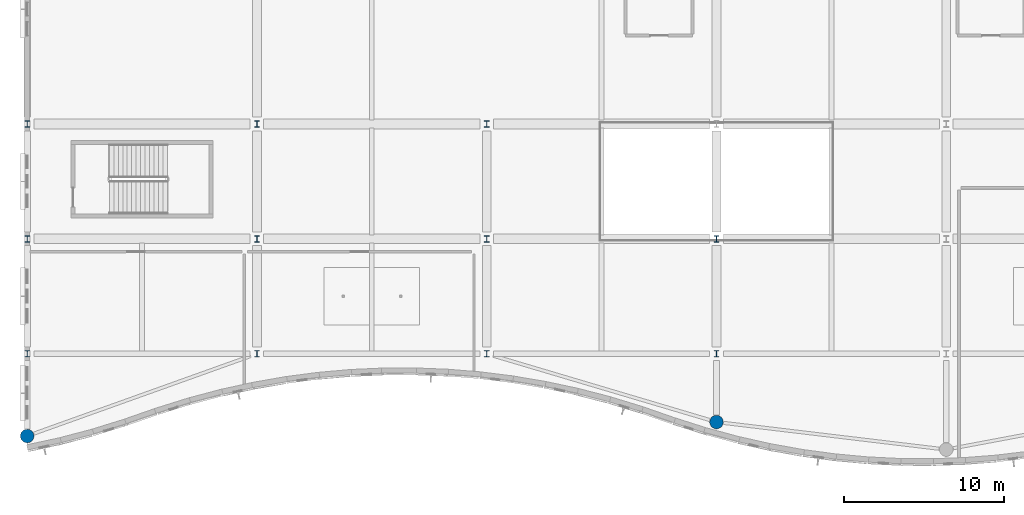
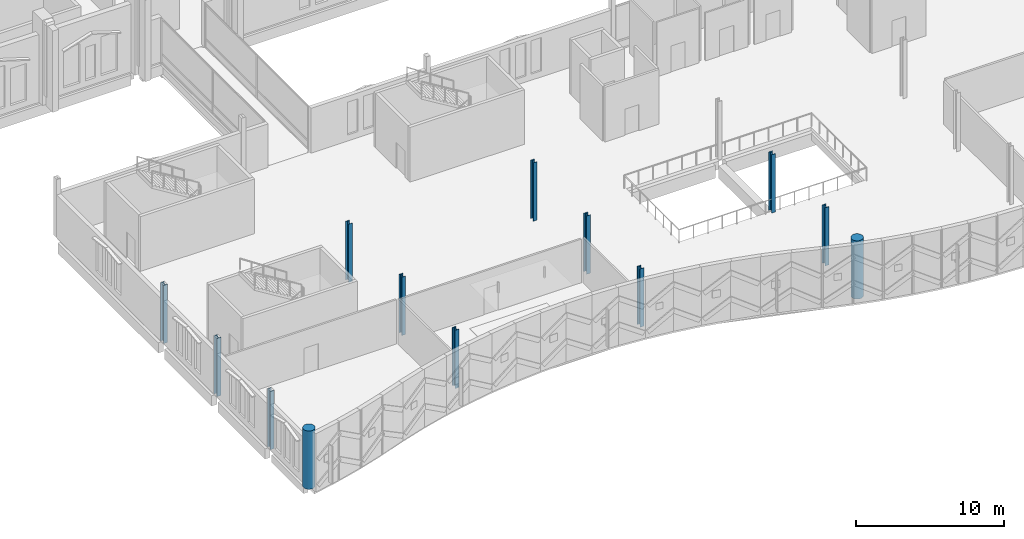
# One storey, part 1 of 220: 13 columns.
"""IFC4 building model written with IfcOpenShell, lengths in metres."""

from ifc_helpers import new_model, si_unit, direction, frame, origin, origin_2d, place, context, subcontext, project, spatial, circle, i_section, extrude, material, material_profile, profile_set, type_object, element, save


model = new_model("IFC4")

# Units and contexts
model_context = context("Model", 3, precision=1e-05, world=origin(), true_north=direction((0.0, 1.0)))
body_context = subcontext(model_context, "Body", "Model", "MODEL_VIEW")
ifc_project = project(units=[si_unit("LENGTHUNIT", "METRE"), si_unit("AREAUNIT", "SQUARE_METRE"), si_unit("VOLUMEUNIT", "CUBIC_METRE"), si_unit("PLANEANGLEUNIT", "RADIAN"), si_unit("MASSUNIT", "GRAM", prefix="KILO")], contexts=[model_context])

# Site, building, storey
site_placement = place(None, origin())
site = spatial("IfcSite", under=ifc_project, at=site_placement, CompositionType="ELEMENT")
building_placement = place(site_placement, origin())
building = spatial("IfcBuilding", under=site, at=building_placement, Name="Cendralis Lancet Convention Centre", CompositionType="ELEMENT")
storey_placement = place(building_placement, frame((0.0, 0.0, 5.39990234375)))
storey = spatial("IfcBuildingStorey", under=building, at=storey_placement, Name="L01", CompositionType="ELEMENT", Elevation=5.39990234375)

# Columns
ifc_material_1 = material(Name="Concrete G40 (C40/50)", Category="concrete")
ifc_material_profile_1 = material_profile(ifc_material_1, circle(Radius=0.425048828125, at=origin_2d()), Name="RC D850")
ifc_profile_set_1 = profile_set([ifc_material_profile_1], Name="Concrete G40 (C40/50)")
column_type_1 = type_object("IfcColumnType", Name="STR-COL-C17", PredefinedType="COLUMN", material=ifc_profile_set_1)
for number, where, z_axis, x_axis, name in (
    (1, (0.0, 2.04541015625, 0.0), (0.0, 0.0, 1.0), (1.0, 0.0, 0.0), "L01 Column C17 at 0.0,2.0"),
    (2, (43.199951171875, 2.921630859375, 0.0), (0.0, 0.0, 1.0), (1.0, 0.0, 0.0), "L01 Column C17 at 43.2,2.9"),
):
    element("IfcColumn", number, at=place(storey_placement, frame(where, z_axis=z_axis, x_axis=x_axis)), inside=storey, type_object=column_type_1, Name=name, PredefinedType="COLUMN", context=body_context, shape_type="SweptSolid", body=[
        extrude(circle(Radius=0.425048828125, at=origin_2d()), origin(), (0.0, 0.0, 1.0), 4.800048828125),
    ])
ifc_material_2 = material(Name="Steel S355", Category="steel")
ifc_material_profile_2 = material_profile(ifc_material_2, i_section(OverallWidth=0.300048828125, OverallDepth=0.39990234375, WebThickness=0.013427734375, FlangeThickness=0.02392578125, FilletRadius=0.027099609375, at=origin_2d()), Name="HEB 400")
ifc_profile_set_2 = profile_set([ifc_material_profile_2], Name="Steel S355")
column_type_2 = type_object("IfcColumnType", Name="STR-COL-C25", PredefinedType="COLUMN", material=ifc_profile_set_2)
for number, where, z_axis, x_axis, name in (
    (3, (0.0, 7.199951171875, 0.0), (0.0, 0.0, 1.0), (1.0, 0.0, 0.0), "L01 Column C25 at 0.0,7.2"),
    (4, (0.0, 14.39990234375, 0.0), (0.0, 0.0, 1.0), (1.0, 0.0, 0.0), "L01 Column C25 at 0.0,14.4"),
    (5, (0.0, 21.60009765625, 0.0), (0.0, 0.0, 1.0), (1.0, 0.0, 0.0), "L01 Column C25 at 0.0,21.6"),
):
    element("IfcColumn", number, at=place(storey_placement, frame(where, z_axis=z_axis, x_axis=x_axis)), inside=storey, type_object=column_type_2, Name=name, PredefinedType="COLUMN", context=body_context, shape_type="SweptSolid", body=[
        extrude(i_section(OverallWidth=0.300048828125, OverallDepth=0.39990234375, WebThickness=0.013427734375, FlangeThickness=0.02392578125, FilletRadius=0.027099609375, at=origin_2d()), origin(), (0.0, 0.0, 1.0), 4.800048828125),
    ])
ifc_material_profile_3 = material_profile(ifc_material_2, i_section(OverallWidth=0.300048828125, OverallDepth=0.39990234375, WebThickness=0.013427734375, FlangeThickness=0.02392578125, FilletRadius=0.027099609375, at=origin_2d()), Name="HEB 400")
ifc_profile_set_3 = profile_set([ifc_material_profile_3], Name="Steel S355")
column_type_3 = type_object("IfcColumnType", Name="STR-COL-C25-INT", PredefinedType="COLUMN", material=ifc_profile_set_3)
for number, where, z_axis, x_axis, name in (
    (6, (14.39990234375, 7.199951171875, 0.0), (0.0, 0.0, 1.0), (1.0, 0.0, 0.0), "L01 Column C25 at 14.4,7.2"),
    (7, (14.39990234375, 14.39990234375, 0.0), (0.0, 0.0, 1.0), (1.0, 0.0, 0.0), "L01 Column C25 at 14.4,14.4"),
    (8, (14.39990234375, 21.60009765625, 0.0), (0.0, 0.0, 1.0), (1.0, 0.0, 0.0), "L01 Column C25 at 14.4,21.6"),
    (9, (28.800048828125, 7.199951171875, 0.0), (0.0, 0.0, 1.0), (1.0, 0.0, 0.0), "L01 Column C25 at 28.8,7.2"),
    (10, (28.800048828125, 14.39990234375, 0.0), (0.0, 0.0, 1.0), (1.0, 0.0, 0.0), "L01 Column C25 at 28.8,14.4"),
    (11, (28.800048828125, 21.60009765625, 0.0), (0.0, 0.0, 1.0), (1.0, 0.0, 0.0), "L01 Column C25 at 28.8,21.6"),
    (12, (43.199951171875, 7.199951171875, 0.0), (0.0, 0.0, 1.0), (1.0, 0.0, 0.0), "L01 Column C25 at 43.2,7.2"),
    (13, (43.199951171875, 14.39990234375, 0.0), (0.0, 0.0, 1.0), (1.0, 0.0, 0.0), "L01 Column C25 at 43.2,14.4"),
):
    element("IfcColumn", number, at=place(storey_placement, frame(where, z_axis=z_axis, x_axis=x_axis)), inside=storey, type_object=column_type_3, Name=name, PredefinedType="COLUMN", context=body_context, shape_type="SweptSolid", body=[
        extrude(i_section(OverallWidth=0.300048828125, OverallDepth=0.39990234375, WebThickness=0.013427734375, FlangeThickness=0.02392578125, FilletRadius=0.027099609375, at=origin_2d()), origin(), (0.0, 0.0, 1.0), 4.800048828125),
    ])

save(model, "model.ifc")
